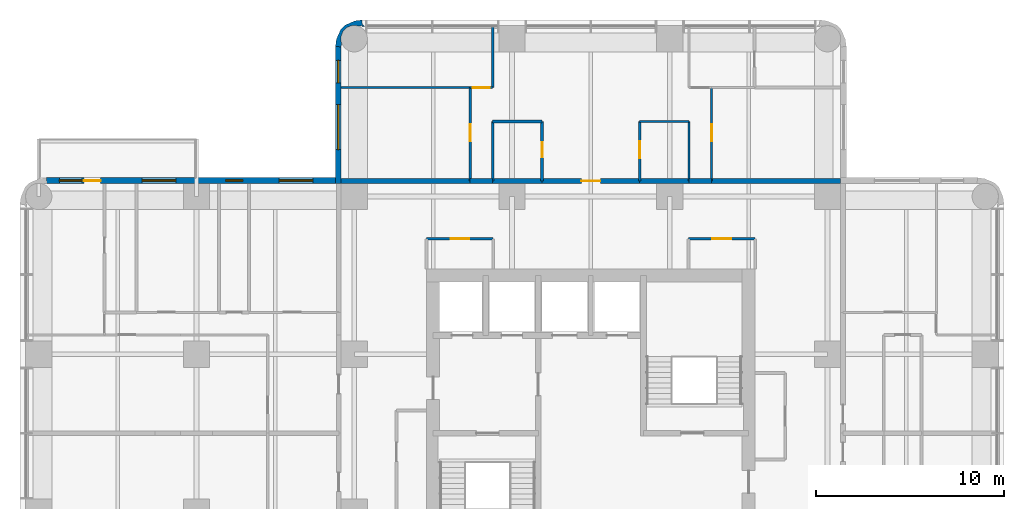
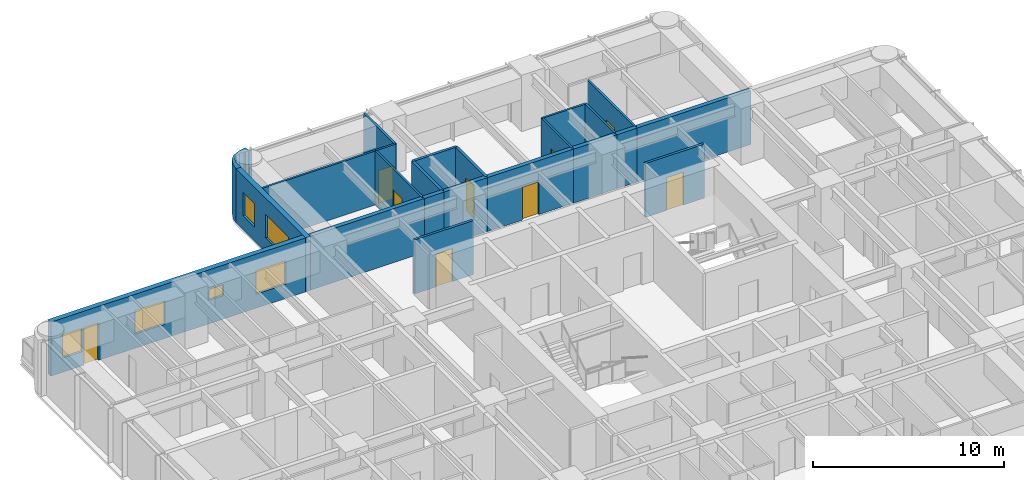
# One storey, part 9 of 11: 23 walls, 9 doors, 6 windows, 15 openings.
"""IFC4 building model written with IfcOpenShell, lengths in metres."""

import ifcopenshell
import ifcopenshell.guid

model = None  # the IFC model being written
_history = None  # IfcOwnerHistory: only IFC2X3 demands one
_inside = {}  # id of a spatial element -> (the spatial element, [elements in it])
_under = {}  # id of a project, library or spatial element -> (it, [spatial elements below it])
_declared = {}  # id of a project -> (the project, [libraries it declares])
_typed = {}  # id of a type object -> (the type object, [elements of that type])
_made_of = {}  # id of a material, layer set ... -> (it, [elements and type objects made of it])


def new_model(schema):
    """Start an empty IFC model of exactly this schema.

    Asked for "IFC4X3", IfcOpenShell would pick the latest addendum, in which some entities
    have other attributes; the version numbers below select the first issue.
    IFC2X3 requires an IfcOwnerHistory on every rooted entity: one is made here for all.
    """
    global model, _history
    if schema == "IFC4X3":
        model = ifcopenshell.file(schema_version=(4, 3, 0, 0))
    else:
        model = ifcopenshell.file(schema=schema)
    _inside.clear()
    _under.clear()
    _declared.clear()
    _typed.clear()
    _made_of.clear()
    _history = None
    if model.schema == "IFC2X3":
        org = make("IfcOrganization", Name="unknown")
        user = make(
            "IfcPersonAndOrganization",
            ThePerson=make("IfcPerson", FamilyName="unknown"),
            TheOrganization=org,
        )
        app = make(
            "IfcApplication",
            ApplicationDeveloper=org,
            Version="unknown",
            ApplicationFullName="unknown",
            ApplicationIdentifier="unknown",
        )
        _history = make(
            "IfcOwnerHistory",
            OwningUser=user,
            OwningApplication=app,
            ChangeAction="ADDED",
            CreationDate=0,
        )
    return model


def make(cls, **values):
    """One entity of the class cls with the attributes given. An attribute that is None is left unset."""
    return model.create_entity(
        cls, **{name: value for name, value in values.items() if value is not None}
    )


def rooted(cls, **values):
    """An entity with a GlobalId (a new one), such as an element, a storey or a relation."""
    return make(cls, GlobalId=ifcopenshell.guid.new(), OwnerHistory=_history, **values)


def si_unit(unit_type, name, prefix=None):
    """IfcSIUnit, for example si_unit("LENGTHUNIT", "METRE", prefix="MILLI")."""
    return make("IfcSIUnit", UnitType=unit_type, Prefix=prefix, Name=name)


def assignment(units):
    """IfcUnitAssignment: the units of a project."""
    return None if units is None else make("IfcUnitAssignment", Units=units)


def point(xyz):
    """IfcCartesianPoint."""
    return None if xyz is None else make("IfcCartesianPoint", Coordinates=xyz)


def direction(xyz):
    """IfcDirection."""
    return None if xyz is None else make("IfcDirection", DirectionRatios=xyz)


def frame(location, z_axis=None, x_axis=None):
    """IfcAxis2Placement3D, a coordinate frame: its origin and axes. An axis left out is left unset."""
    return make(
        "IfcAxis2Placement3D",
        Location=point(location),
        Axis=direction(z_axis),
        RefDirection=direction(x_axis),
    )


def frame_2d(location, x_axis=None):
    """IfcAxis2Placement2D, a coordinate frame in the plane: its origin and x axis."""
    return make(
        "IfcAxis2Placement2D", Location=point(location), RefDirection=direction(x_axis)
    )


def origin():
    """The frame at (0, 0, 0) with its axes left unset."""
    return frame((0.0, 0.0, 0.0))


def place(relative_to, where):
    """IfcLocalPlacement: puts the frame where relative to a parent placement (None: the world)."""
    return make(
        "IfcLocalPlacement", PlacementRelTo=relative_to, RelativePlacement=where
    )


def context(
    kind, dimensions, precision=None, world=None, true_north=None, identifier=None
):
    """IfcGeometricRepresentationContext, for example the 3D "Model" context."""
    return make(
        "IfcGeometricRepresentationContext",
        ContextIdentifier=identifier,
        ContextType=kind,
        CoordinateSpaceDimension=dimensions,
        Precision=precision,
        WorldCoordinateSystem=world,
        TrueNorth=true_north,
    )


def subcontext(parent, identifier, kind, view, scale=None):
    """IfcGeometricRepresentationSubContext, for example "Body" below "Model"."""
    return make(
        "IfcGeometricRepresentationSubContext",
        ContextIdentifier=identifier,
        ContextType=kind,
        ParentContext=parent,
        TargetScale=scale,
        TargetView=view,
    )


def project(units=None, contexts=None):
    """IfcProject with its units and contexts."""
    return rooted(
        "IfcProject",
        Name="project",
        RepresentationContexts=contexts,
        UnitsInContext=assignment(units),
    )


def spatial(cls, under=None, at=None, **own):
    """A site, building, storey or space (cls), placed at a placement, below another one or the project."""
    s = rooted(cls, ObjectPlacement=at, **own)
    if under is not None:
        _under.setdefault(under.id(), (under, []))[1].append(s)
    return s


def polyline(points):
    """IfcPolyline through the points."""
    return make("IfcPolyline", Points=[point(p) for p in points])


def profile(cls, at=None, kind="AREA", **sizes):
    """A parametric profile (cls). Its sizes go by their IFC names, for example OverallWidth=200.0."""
    return make(cls, ProfileType=kind, Position=at, **sizes)


def rectangle(**sizes):
    """IfcRectangleProfileDef."""
    return profile("IfcRectangleProfileDef", **sizes)


def outline(outer, holes=None, kind="AREA"):
    """IfcArbitraryClosedProfileDef: a profile drawn as a closed curve; with holes, ...WithVoids."""
    if holes is None:
        return make("IfcArbitraryClosedProfileDef", ProfileType=kind, OuterCurve=outer)
    return make(
        "IfcArbitraryProfileDefWithVoids",
        ProfileType=kind,
        OuterCurve=outer,
        InnerCurves=holes,
    )


def extrude(swept, where, along, depth):
    """IfcExtrudedAreaSolid: the profile swept, set in the frame where, extruded along a direction by depth."""
    return make(
        "IfcExtrudedAreaSolid",
        SweptArea=swept,
        Position=where,
        ExtrudedDirection=direction(along),
        Depth=depth,
    )


def shape(context_of_items, identifier, shape_type, items):
    """IfcShapeRepresentation: the items that make up one representation, for example the "Body"."""
    return make(
        "IfcShapeRepresentation",
        ContextOfItems=context_of_items,
        RepresentationIdentifier=identifier,
        RepresentationType=shape_type,
        Items=items,
    )


def material(Name=None, Category=None):
    """IfcMaterial."""
    return make("IfcMaterial", Name=Name, Category=Category)


def layer(
    of_material, thickness, ventilated=None, Name=None, Category=None, Priority=None
):
    """IfcMaterialLayer: one layer of a wall or slab, of a material (None: an air gap)."""
    return make(
        "IfcMaterialLayer",
        Material=of_material,
        LayerThickness=thickness,
        IsVentilated=ventilated,
        Name=Name,
        Category=Category,
        Priority=Priority,
    )


def layer_set(layers, Name=None):
    """IfcMaterialLayerSet."""
    return make("IfcMaterialLayerSet", MaterialLayers=layers, LayerSetName=Name)


def made_of(thing, what):
    """Note that an element or type object is made of a material, layer set ...; save() writes the relation."""
    if what is not None:
        _made_of.setdefault(what.id(), (what, []))[1].append(thing)
    return thing


def type_object(cls, material=None, **own):
    """A type object (cls), such as IfcWallType, which elements share."""
    return made_of(rooted(cls, **own), material)


def element(
    cls,
    number,
    at=None,
    inside=None,
    cuts=None,
    type_object=None,
    material=None,
    context=None,
    identifier="Body",
    shape_type=None,
    held_by="IfcProductDefinitionShape",
    body=None,
    shapes=None,
    **own,
):
    """One element of the class cls, such as IfcWall. Its Tag is "e" and its number.

    at: its placement. inside: the storey or other place that contains it. cuts: it is an
    opening in that element (IfcRelVoidsElement). A single representation is given by context,
    identifier, shape_type and body (its items); several are given by shapes. held_by: the class
    of the entity that holds the representations. save() writes the other relations.
    """
    e = rooted(cls, Tag="e%d" % number, ObjectPlacement=at, **own)
    if body is not None:
        shapes = [shape(context, identifier, shape_type, body)]
    if shapes is not None:
        e.Representation = make(held_by, Representations=shapes)
    if inside is not None:
        _inside.setdefault(inside.id(), (inside, []))[1].append(e)
    if cuts is not None:
        rooted(
            "IfcRelVoidsElement", RelatingBuildingElement=cuts, RelatedOpeningElement=e
        )
    if type_object is not None:
        _typed.setdefault(type_object.id(), (type_object, []))[1].append(e)
    return made_of(e, material)


def fill(opening, filler):
    """IfcRelFillsElement: the door or window that sits in an opening."""
    return rooted(
        "IfcRelFillsElement",
        RelatingOpeningElement=opening,
        RelatedBuildingElement=filler,
    )


def aggregate(whole, parts):
    """IfcRelAggregates: a whole, such as a stair, and the parts it consists of."""
    return rooted("IfcRelAggregates", RelatingObject=whole, RelatedObjects=parts)


def save(model, path):
    """Write the relations noted so far, then the file.

    IfcRelAggregates (storeys below a building ...), IfcRelContainedInSpatialStructure (elements
    in a storey), IfcRelDefinesByType, IfcRelAssociatesMaterial and IfcRelDeclares: one each for
    every whole, place, type object, material and project.
    """
    for whole, parts in _under.values():
        aggregate(whole, parts)
    for where, things in _inside.values():
        rooted(
            "IfcRelContainedInSpatialStructure",
            RelatedElements=things,
            RelatingStructure=where,
        )
    for kind, things in _typed.values():
        rooted("IfcRelDefinesByType", RelatedObjects=things, RelatingType=kind)
    for what, things in _made_of.values():
        rooted("IfcRelAssociatesMaterial", RelatedObjects=things, RelatingMaterial=what)
    for by, libraries in _declared.values():
        rooted("IfcRelDeclares", RelatingContext=by, RelatedDefinitions=libraries)
    model.write(path)


model = new_model("IFC4")

# Units and contexts
model_context = context("Model", 3, precision=1e-05, world=origin(), true_north=direction((0.0, 1.0)))
body_context = subcontext(model_context, "Body", "Model", "MODEL_VIEW")
ifc_project = project(units=[si_unit("LENGTHUNIT", "METRE"), si_unit("AREAUNIT", "SQUARE_METRE"), si_unit("VOLUMEUNIT", "CUBIC_METRE"), si_unit("PLANEANGLEUNIT", "RADIAN"), si_unit("MASSUNIT", "GRAM", prefix="KILO")], contexts=[model_context])

# Site, building, storey
site_placement = place(None, origin())
site = spatial("IfcSite", under=ifc_project, at=site_placement, CompositionType="ELEMENT")
building_placement = place(site_placement, origin())
building = spatial("IfcBuilding", under=site, at=building_placement, Name="Torre Alcanfor", CompositionType="ELEMENT")
storey_placement = place(building_placement, frame((0.0, 0.0, 190.5)))
storey = spatial("IfcBuildingStorey", under=building, at=storey_placement, Name="L49", CompositionType="ELEMENT", Elevation=190.5)

# Wall, opening, door
ifc_material_1 = material(Name="Concrete block masonry, hollow blocks NMX-C-404 9 MPa", Category="masonry")
ifc_layer_1 = layer(ifc_material_1, 0.25)
ifc_layer_set_1 = layer_set([ifc_layer_1], Name="Apartment entrance wall 250 EI 60")
wall_type_1 = type_object("IfcWallType", Name="Apartment entrance wall 250 EI 60", PredefinedType="PARTITIONING", material=ifc_layer_set_1)
wall_1_placement = place(storey_placement, frame((26.800048828125, 42.824951171875, 0.0), z_axis=(0.0, 0.0, 1.0), x_axis=(1.0, 0.0, 0.0)))
wall_1 = element("IfcWall", 1, at=wall_1_placement, inside=storey, type_object=wall_type_1, Name="Partition L49-CORR / L49-NX-ZAG", PredefinedType="PARTITIONING", context=body_context, shape_type="SweptSolid", body=[
    extrude(rectangle(XDim=5.199951171875, YDim=0.25, at=frame_2d((2.60009765625, 0.0))), origin(), (0.0, 0.0, 1.0), 3.449951171875),
])
opening_1_placement = place(wall_1_placement, frame((2.10009765625, 0.0, 0.0)))
opening_1 = element("IfcOpeningElement", 2, at=opening_1_placement, cuts=wall_1, Name="Opening D-A1", PredefinedType="OPENING", context=body_context, shape_type="SweptSolid", body=[
    extrude(rectangle(XDim=1.0, YDim=2.10009765625, at=frame_2d((0.5, 1.050048828125))), frame((0.0, 0.135009765625, 0.0), z_axis=(0.0, -1.0, 0.0), x_axis=(1.0, 0.0, 0.0)), (0.0, 0.0, 1.0), 0.27001953125),
])
ifc_material_2 = material(Name="Galvanised steel sheet ASTM A653", Category="steel")
door_type_1 = type_object("IfcDoorType", Name="Apartment entrance door FD60 1000x2100", OperationType="SINGLE_SWING_LEFT", PredefinedType="DOOR", material=ifc_material_2)
door_1_placement = place(opening_1_placement, origin())
door_1 = element("IfcDoor", 3, at=door_1_placement, inside=storey, type_object=door_type_1, Name="Apartment entrance L49-NX", OperationType="SINGLE_SWING_LEFT", OverallHeight=2.10009765625, OverallWidth=1.0, PredefinedType="DOOR", context=body_context, shape_type="SweptSolid", body=[
    extrude(rectangle(XDim=1.0, YDim=2.10009765625, at=frame_2d((0.5, 1.050048828125))), frame((0.0, 0.02490234375, 0.0), z_axis=(0.0, -1.0, 0.0), x_axis=(1.0, 0.0, 0.0)), (0.0, 0.0, 1.0), 0.050048828125),
])
fill(opening_1, door_1)

# Walls
wall_2_placement = place(storey_placement, frame((24.1708984375, 42.824951171875, 0.0), z_axis=(0.0, 0.0, 1.0), x_axis=(1.0, 0.0, 0.0)))
element("IfcWall", 4, at=wall_2_placement, inside=storey, type_object=wall_type_1, Name="Partition L49-CORR / L49-NX-BATH2", PredefinedType="PARTITIONING", context=body_context, shape_type="SweptSolid", body=[
    extrude(rectangle(XDim=2.629150390625, YDim=0.25, at=frame_2d((1.314453125, 0.0))), origin(), (0.0, 0.0, 1.0), 3.449951171875),
])
wall_3_placement = place(storey_placement, frame((32.0, 42.824951171875, 0.0), z_axis=(0.0, 0.0, 1.0), x_axis=(1.0, 0.0, 0.0)))
element("IfcWall", 5, at=wall_3_placement, inside=storey, type_object=wall_type_1, Name="Partition L49-CORR / L49-NX-KITCHEN", PredefinedType="PARTITIONING", context=body_context, shape_type="SweptSolid", body=[
    extrude(rectangle(XDim=2.62890625, YDim=0.25, at=frame_2d((1.314453125, 0.0))), origin(), (0.0, 0.0, 1.0), 3.449951171875),
])
wall_4_placement = place(storey_placement, frame((22.970947265625, 42.824951171875, 0.0), z_axis=(0.0, 0.0, 1.0), x_axis=(1.0, 0.0, 0.0)))
element("IfcWall", 6, at=wall_4_placement, inside=storey, type_object=wall_type_1, Name="Partition L49-CORR / L49-NX-LIVING", PredefinedType="PARTITIONING", context=body_context, shape_type="SweptSolid", body=[
    extrude(rectangle(XDim=1.199951171875, YDim=0.25, at=frame_2d((0.60009765625, 0.0))), origin(), (0.0, 0.0, 1.0), 3.449951171875),
])
wall_5_placement = place(storey_placement, frame((34.62890625, 42.824951171875, 0.0), z_axis=(0.0, 0.0, 1.0), x_axis=(1.0, 0.0, 0.0)))
element("IfcWall", 7, at=wall_5_placement, inside=storey, type_object=wall_type_1, Name="Partition L49-CORR / L49-NX-LIVING", PredefinedType="PARTITIONING", context=body_context, shape_type="SweptSolid", body=[
    extrude(rectangle(XDim=1.2001953125, YDim=0.25, at=frame_2d((0.60009765625, 0.0))), origin(), (0.0, 0.0, 1.0), 3.449951171875),
])
for number, where, z_axis, x_axis, name in (
    (8, (16.10009765625, 42.824951171875, 0.0), (0.0, 0.0, 1.0), (1.0, 0.0, 0.0), "Partition L49-CORR / L49-NX-BED2"),
    (9, (35.8291015625, 42.824951171875, 0.0), (0.0, 0.0, 1.0), (1.0, 0.0, 0.0), "Partition L49-CORR / L49-NX-BED3"),
):
    element("IfcWall", number, at=place(storey_placement, frame(where, z_axis=z_axis, x_axis=x_axis)), inside=storey, type_object=wall_type_1, Name=name, PredefinedType="PARTITIONING", context=body_context, shape_type="SweptSolid", body=[
        extrude(rectangle(XDim=6.870849609375, YDim=0.25, at=frame_2d((3.435546875, 0.0))), origin(), (0.0, 0.0, 1.0), 3.449951171875),
    ])

# Wall, opening, door
ifc_material_3 = material(Name="Gypsum board on steel studs", Category="steel")
ifc_layer_2 = layer(ifc_material_3, 0.1201171875)
ifc_layer_set_2 = layer_set([ifc_layer_2], Name="Apartment partition 120")
wall_type_2 = type_object("IfcWallType", Name="Apartment partition 120", PredefinedType="PARTITIONING", material=ifc_layer_set_2)
wall_6_placement = place(storey_placement, frame((32.0, 42.824951171875, 0.0), z_axis=(0.0, 0.0, 1.0), x_axis=(0.0, 1.0, 0.0)))
wall_6 = element("IfcWall", 10, at=wall_6_placement, inside=storey, type_object=wall_type_2, Name="Partition L49-NX-ZAG / L49-NX-KITCHEN", PredefinedType="PARTITIONING", context=body_context, shape_type="SweptSolid", body=[
    extrude(rectangle(XDim=3.175048828125, YDim=0.1201171875, at=frame_2d((1.58740234375, 0.0))), origin(), (0.0, 0.0, 1.0), 3.449951171875),
])
opening_2_placement = place(wall_6_placement, frame((1.22509765625, 0.0, 0.0)))
opening_2 = element("IfcOpeningElement", 11, at=opening_2_placement, cuts=wall_6, Name="Opening D-R1", PredefinedType="OPENING", context=body_context, shape_type="SweptSolid", body=[
    extrude(rectangle(XDim=0.89990234375, YDim=2.10009765625, at=frame_2d((0.449951171875, 1.050048828125))), frame((0.0, 0.070068359375, 0.0), z_axis=(0.0, -1.0, 0.0), x_axis=(1.0, 0.0, 0.0)), (0.0, 0.0, 1.0), 0.14013671875),
])
ifc_material_4 = material(Name="Timber", Category="wood")
door_type_2 = type_object("IfcDoorType", Name="Internal door 900x2100", OperationType="SINGLE_SWING_LEFT", PredefinedType="DOOR", material=ifc_material_4)
door_2_placement = place(opening_2_placement, frame((0.89990234375, 0.0, 0.0), z_axis=(0.0, 0.0, 1.0), x_axis=(-1.0, 0.0, 0.0)))
door_2 = element("IfcDoor", 12, at=door_2_placement, inside=storey, type_object=door_type_2, Name="Door L49-NX kitchen", OperationType="SINGLE_SWING_LEFT", OverallHeight=2.10009765625, OverallWidth=0.89990234375, PredefinedType="DOOR", context=body_context, shape_type="SweptSolid", body=[
    extrude(rectangle(XDim=0.89990234375, YDim=2.10009765625, at=frame_2d((0.449951171875, 1.050048828125))), frame((0.0, 0.025146484375, 0.0), z_axis=(0.0, -1.0, 0.0), x_axis=(1.0, 0.0, 0.0)), (0.0, 0.0, 1.0), 0.050048828125),
])
fill(opening_2, door_2)

# Walls
wall_7_placement = place(storey_placement, frame((34.62890625, 42.824951171875, 0.0), z_axis=(0.0, 0.0, 1.0), x_axis=(0.0, 1.0, 0.0)))
element("IfcWall", 13, at=wall_7_placement, inside=storey, type_object=wall_type_2, Name="Partition L49-NX-KITCHEN / L49-NX-LIVING", PredefinedType="PARTITIONING", context=body_context, shape_type="SweptSolid", body=[
    extrude(rectangle(XDim=3.175048828125, YDim=0.1201171875, at=frame_2d((1.58740234375, 0.0))), origin(), (0.0, 0.0, 1.0), 3.449951171875),
])
wall_8_placement = place(storey_placement, frame((34.62890625, 46.0, 0.0), z_axis=(0.0, 0.0, 1.0), x_axis=(-1.0, 0.0, 0.0)))
element("IfcWall", 14, at=wall_8_placement, inside=storey, type_object=wall_type_2, Name="Partition L49-NX-KITCHEN / L49-NX-LIVING", PredefinedType="PARTITIONING", context=body_context, shape_type="SweptSolid", body=[
    extrude(rectangle(XDim=2.62890625, YDim=0.1201171875, at=frame_2d((1.314453125, 0.0))), origin(), (0.0, 0.0, 1.0), 3.449951171875),
])

# Wall, opening, door
wall_9_placement = place(storey_placement, frame((22.970947265625, 42.824951171875, 0.0), z_axis=(0.0, 0.0, 1.0), x_axis=(0.0, 1.0, 0.0)))
wall_9 = element("IfcWall", 15, at=wall_9_placement, inside=storey, type_object=wall_type_2, Name="Partition L49-NX-LIVING / L49-NX-BED2", PredefinedType="PARTITIONING", context=body_context, shape_type="SweptSolid", body=[
    extrude(rectangle(XDim=4.97509765625, YDim=0.1201171875, at=frame_2d((2.487548828125, 0.0))), origin(), (0.0, 0.0, 1.0), 3.449951171875),
])
opening_3_placement = place(wall_9_placement, frame((2.125, 0.0, 0.0)))
opening_3 = element("IfcOpeningElement", 16, at=opening_3_placement, cuts=wall_9, Name="Opening D-R1", PredefinedType="OPENING", context=body_context, shape_type="SweptSolid", body=[
    extrude(rectangle(XDim=0.89990234375, YDim=2.10009765625, at=frame_2d((0.449951171875, 1.050048828125))), frame((0.0, 0.070068359375, 0.0), z_axis=(0.0, -1.0, 0.0), x_axis=(1.0, 0.0, 0.0)), (0.0, 0.0, 1.0), 0.14013671875),
])
door_3_placement = place(opening_3_placement, origin())
door_3 = element("IfcDoor", 17, at=door_3_placement, inside=storey, type_object=door_type_2, Name="Door L49-NX bed2", OperationType="SINGLE_SWING_RIGHT", OverallHeight=2.10009765625, OverallWidth=0.89990234375, PredefinedType="DOOR", context=body_context, shape_type="SweptSolid", body=[
    extrude(rectangle(XDim=0.89990234375, YDim=2.10009765625, at=frame_2d((0.449951171875, 1.050048828125))), frame((0.0, 0.02490234375, 0.0), z_axis=(0.0, -1.0, 0.0), x_axis=(1.0, 0.0, 0.0)), (0.0, 0.0, 1.0), 0.050048828125),
])
fill(opening_3, door_3)

wall_10_placement = place(storey_placement, frame((22.970947265625, 47.800048828125, 0.0), z_axis=(0.0, 0.0, 1.0), x_axis=(1.0, 0.0, 0.0)))
wall_10 = element("IfcWall", 18, at=wall_10_placement, inside=storey, type_object=wall_type_2, Name="Partition L49-NX-LIVING / L49-NX-MASTER", PredefinedType="PARTITIONING", context=body_context, shape_type="SweptSolid", body=[
    extrude(rectangle(XDim=1.199951171875, YDim=0.1201171875, at=frame_2d((0.60009765625, 0.0))), origin(), (0.0, 0.0, 1.0), 3.449951171875),
])
opening_4_placement = place(wall_10_placement, frame((0.14892578125, 0.0, 0.0)))
opening_4 = element("IfcOpeningElement", 19, at=opening_4_placement, cuts=wall_10, Name="Opening D-R1", PredefinedType="OPENING", context=body_context, shape_type="SweptSolid", body=[
    extrude(rectangle(XDim=0.89990234375, YDim=2.10009765625, at=frame_2d((0.449951171875, 1.050048828125))), frame((0.0, 0.070068359375, 0.0), z_axis=(0.0, -1.0, 0.0), x_axis=(1.0, 0.0, 0.0)), (0.0, 0.0, 1.0), 0.14013671875),
])
door_4_placement = place(opening_4_placement, origin())
door_4 = element("IfcDoor", 20, at=door_4_placement, inside=storey, type_object=door_type_2, Name="Door L49-NX master", OperationType="SINGLE_SWING_RIGHT", OverallHeight=2.10009765625, OverallWidth=0.89990234375, PredefinedType="DOOR", context=body_context, shape_type="SweptSolid", body=[
    extrude(rectangle(XDim=0.89990234375, YDim=2.10009765625, at=frame_2d((0.449951171875, 1.050048828125))), frame((0.0, 0.02490234375, 0.0), z_axis=(0.0, -1.0, 0.0), x_axis=(1.0, 0.0, 0.0)), (0.0, 0.0, 1.0), 0.050048828125),
])
fill(opening_4, door_4)

# Wall
wall_11_placement = place(storey_placement, frame((24.1708984375, 47.800048828125, 0.0), z_axis=(0.0, 0.0, 1.0), x_axis=(0.0, 1.0, 0.0)))
element("IfcWall", 21, at=wall_11_placement, inside=storey, type_object=wall_type_2, Name="Partition L49-NX-LIVING / L49-NX-MASTER", PredefinedType="PARTITIONING", context=body_context, shape_type="SweptSolid", body=[
    extrude(rectangle(XDim=3.25, YDim=0.1201171875, at=frame_2d((1.625, 0.0))), origin(), (0.0, 0.0, 1.0), 3.449951171875),
])

# Wall, opening, door
wall_12_placement = place(storey_placement, frame((35.8291015625, 47.800048828125, 0.0), z_axis=(0.0, 0.0, 1.0), x_axis=(0.0, -1.0, 0.0)))
wall_12 = element("IfcWall", 22, at=wall_12_placement, inside=storey, type_object=wall_type_2, Name="Partition L49-NX-LIVING / L49-NX-BED3", PredefinedType="PARTITIONING", context=body_context, shape_type="SweptSolid", body=[
    extrude(rectangle(XDim=4.97509765625, YDim=0.1201171875, at=frame_2d((2.487548828125, 0.0))), origin(), (0.0, 0.0, 1.0), 3.449951171875),
])
opening_5_placement = place(wall_12_placement, frame((1.949951171875, 0.0, 0.0)))
opening_5 = element("IfcOpeningElement", 23, at=opening_5_placement, cuts=wall_12, Name="Opening D-R1", PredefinedType="OPENING", context=body_context, shape_type="SweptSolid", body=[
    extrude(rectangle(XDim=0.89990234375, YDim=2.10009765625, at=frame_2d((0.449951171875, 1.050048828125))), frame((0.0, 0.070068359375, 0.0), z_axis=(0.0, -1.0, 0.0), x_axis=(1.0, 0.0, 0.0)), (0.0, 0.0, 1.0), 0.14013671875),
])
door_5_placement = place(opening_5_placement, origin())
door_5 = element("IfcDoor", 24, at=door_5_placement, inside=storey, type_object=door_type_2, Name="Door L49-NX bed3", OperationType="SINGLE_SWING_LEFT", OverallHeight=2.10009765625, OverallWidth=0.89990234375, PredefinedType="DOOR", context=body_context, shape_type="SweptSolid", body=[
    extrude(rectangle(XDim=0.89990234375, YDim=2.10009765625, at=frame_2d((0.449951171875, 1.050048828125))), frame((0.0, 0.02490234375, 0.0), z_axis=(0.0, -1.0, 0.0), x_axis=(1.0, 0.0, 0.0)), (0.0, 0.0, 1.0), 0.050048828125),
])
fill(opening_5, door_5)

# Wall
wall_13_placement = place(storey_placement, frame((22.970947265625, 47.800048828125, 0.0), z_axis=(0.0, 0.0, 1.0), x_axis=(-1.0, 0.0, 0.0)))
element("IfcWall", 25, at=wall_13_placement, inside=storey, type_object=wall_type_2, Name="Partition L49-NX-BED2 / L49-NX-MASTER", PredefinedType="PARTITIONING", context=body_context, shape_type="SweptSolid", body=[
    extrude(rectangle(XDim=6.870849609375, YDim=0.1201171875, at=frame_2d((3.435546875, 0.0))), origin(), (0.0, 0.0, 1.0), 3.449951171875),
])

# Wall, openings, door, windows
ifc_material_5 = material(Name="Limestone cladding", Category="masonry")
ifc_layer_3 = layer(ifc_material_5, 0.0400390625, Name="Facing")
ifc_material_6 = material(Name="Ventilated air cavity")
ifc_layer_4 = layer(ifc_material_6, 0.02001953125, ventilated=True, Name="Ventilated joint")
ifc_material_7 = material(Name="Mineral wool insulation", Category="insulation")
ifc_layer_5 = layer(ifc_material_7, 0.10009765625, Name="Insulation")
ifc_material_8 = material(Name="Concrete f'c 35 MPa", Category="concrete")
ifc_layer_6 = layer(ifc_material_8, 0.139892578125, Name="Backing")
ifc_layer_set_3 = layer_set([ifc_layer_3, ifc_layer_4, ifc_layer_5, ifc_layer_6], Name="External wall stone-clad 300")
wall_type_3 = type_object("IfcWallType", Name="External wall stone-clad 300", PredefinedType="SOLIDWALL", material=ifc_layer_set_3)
wall_14_placement = place(storey_placement, frame((15.800048828125, 42.85009765625, 0.0), z_axis=(0.0, 0.0, 1.0), x_axis=(-1.0, 0.0, 0.0)))
wall_14 = element("IfcWall", 26, at=wall_14_placement, inside=storey, type_object=wall_type_3, Name="External wall L49 1", PredefinedType="SOLIDWALL", context=body_context, shape_type="SweptSolid", body=[
    extrude(rectangle(XDim=15.400146484375, YDim=0.300048828125, at=frame_2d((7.7001953125, 0.0))), origin(), (0.0, 0.0, 1.0), 3.449951171875),
])
opening_6_placement = place(wall_14_placement, frame((1.199951171875, 0.0, 0.89990234375)))
opening_6 = element("IfcOpeningElement", 27, at=opening_6_placement, cuts=wall_14, Name="Opening W2", PredefinedType="OPENING", context=body_context, shape_type="SweptSolid", body=[
    extrude(rectangle(XDim=1.800048828125, YDim=1.5, at=frame_2d((0.89990234375, 0.75))), frame((0.0, 0.159912109375, 0.0), z_axis=(0.0, -1.0, 0.0), x_axis=(1.0, 0.0, 0.0)), (0.0, 0.0, 1.0), 0.320068359375),
])
opening_7_placement = place(wall_14_placement, frame((4.949951171875, 0.0, 1.5)))
opening_7 = element("IfcOpeningElement", 28, at=opening_7_placement, cuts=wall_14, Name="Opening W3", PredefinedType="OPENING", context=body_context, shape_type="SweptSolid", body=[
    extrude(rectangle(XDim=0.89990234375, YDim=0.699951171875, at=frame_2d((0.449951171875, 0.35009765625))), frame((0.0, 0.159912109375, 0.0), z_axis=(0.0, -1.0, 0.0), x_axis=(1.0, 0.0, 0.0)), (0.0, 0.0, 1.0), 0.320068359375),
])
opening_8_placement = place(wall_14_placement, frame((8.5, 0.0, 0.89990234375)))
opening_8 = element("IfcOpeningElement", 29, at=opening_8_placement, cuts=wall_14, Name="Opening W2", PredefinedType="OPENING", context=body_context, shape_type="SweptSolid", body=[
    extrude(rectangle(XDim=1.800048828125, YDim=1.5, at=frame_2d((0.89990234375, 0.75))), frame((0.0, 0.159912109375, 0.0), z_axis=(0.0, -1.0, 0.0), x_axis=(1.0, 0.0, 0.0)), (0.0, 0.0, 1.0), 0.320068359375),
])
opening_9_placement = place(wall_14_placement, frame((12.5, 0.0, 0.0)))
opening_9 = element("IfcOpeningElement", 30, at=opening_9_placement, cuts=wall_14, Name="Opening D-B1", PredefinedType="OPENING", context=body_context, shape_type="SweptSolid", body=[
    extrude(rectangle(XDim=0.89990234375, YDim=2.39990234375, at=frame_2d((0.449951171875, 1.199951171875))), frame((0.0, 0.159912109375, 0.0), z_axis=(0.0, -1.0, 0.0), x_axis=(1.0, 0.0, 0.0)), (0.0, 0.0, 1.0), 0.320068359375),
])
opening_10_placement = place(wall_14_placement, frame((13.5, 0.0, 0.89990234375)))
opening_10 = element("IfcOpeningElement", 31, at=opening_10_placement, cuts=wall_14, Name="Opening W4", PredefinedType="OPENING", context=body_context, shape_type="SweptSolid", body=[
    extrude(rectangle(XDim=1.199951171875, YDim=1.5, at=frame_2d((0.60009765625, 0.75))), frame((0.0, 0.159912109375, 0.0), z_axis=(0.0, -1.0, 0.0), x_axis=(1.0, 0.0, 0.0)), (0.0, 0.0, 1.0), 0.320068359375),
])
ifc_material_9 = material(Name="Aluminium and glass", Category="aluminium")
door_type_3 = type_object("IfcDoorType", Name="Balcony door glazed 900x2400", OperationType="SINGLE_SWING_LEFT", PredefinedType="DOOR", material=ifc_material_9)
door_6_placement = place(opening_9_placement, origin())
door_6 = element("IfcDoor", 32, at=door_6_placement, inside=storey, type_object=door_type_3, Name="Balcony door L49-W2", OperationType="SINGLE_SWING_LEFT", OverallHeight=2.39990234375, OverallWidth=0.89990234375, PredefinedType="DOOR", context=body_context, shape_type="SweptSolid", body=[
    extrude(rectangle(XDim=0.89990234375, YDim=2.39990234375, at=frame_2d((0.449951171875, 1.199951171875))), frame((0.0, 0.02490234375, 0.0), z_axis=(0.0, -1.0, 0.0), x_axis=(1.0, 0.0, 0.0)), (0.0, 0.0, 1.0), 0.050048828125),
])
fill(opening_9, door_6)
ifc_material_10 = material(Name="Aluminium frame with clear double glazing", Category="aluminium")
window_type_1 = type_object("IfcWindowType", Name="Window bathroom 900x700", PartitioningType="SINGLE_PANEL", PredefinedType="WINDOW", material=ifc_material_10)
window_1_placement = place(opening_7_placement, origin())
window_1 = element("IfcWindow", 33, at=window_1_placement, inside=storey, type_object=window_type_1, Name="Window W3 L49-W2", OverallHeight=0.699951171875, OverallWidth=0.89990234375, PartitioningType="SINGLE_PANEL", PredefinedType="WINDOW", context=body_context, shape_type="SweptSolid", body=[
    extrude(rectangle(XDim=0.89990234375, YDim=0.699951171875, at=frame_2d((0.449951171875, 0.35009765625))), frame((0.0, 0.030029296875, 0.0), z_axis=(0.0, -1.0, 0.0), x_axis=(1.0, 0.0, 0.0)), (0.0, 0.0, 1.0), 0.06005859375),
])
fill(opening_7, window_1)
ifc_material_11 = material(Name="Aluminium frame with clear double glazing", Category="aluminium")
window_type_2 = type_object("IfcWindowType", Name="Window bedroom 1200x1500", PartitioningType="SINGLE_PANEL", PredefinedType="WINDOW", material=ifc_material_11)
window_2_placement = place(opening_10_placement, origin())
window_2 = element("IfcWindow", 34, at=window_2_placement, inside=storey, type_object=window_type_2, Name="Window W4 L49-W2", OverallHeight=1.5, OverallWidth=1.199951171875, PartitioningType="SINGLE_PANEL", PredefinedType="WINDOW", context=body_context, shape_type="SweptSolid", body=[
    extrude(rectangle(XDim=1.199951171875, YDim=1.5, at=frame_2d((0.60009765625, 0.75))), frame((0.0, 0.030029296875, 0.0), z_axis=(0.0, -1.0, 0.0), x_axis=(1.0, 0.0, 0.0)), (0.0, 0.0, 1.0), 0.06005859375),
])
fill(opening_10, window_2)
ifc_material_12 = material(Name="Aluminium frame with clear double glazing", Category="aluminium")
window_type_3 = type_object("IfcWindowType", Name="Window bedroom 1800x1500", PartitioningType="SINGLE_PANEL", PredefinedType="WINDOW", material=ifc_material_12)
window_3_placement = place(opening_6_placement, origin())
window_3 = element("IfcWindow", 35, at=window_3_placement, inside=storey, type_object=window_type_3, Name="Window W2 L49-W2", OverallHeight=1.5, OverallWidth=1.800048828125, PartitioningType="SINGLE_PANEL", PredefinedType="WINDOW", context=body_context, shape_type="SweptSolid", body=[
    extrude(rectangle(XDim=1.800048828125, YDim=1.5, at=frame_2d((0.89990234375, 0.75))), frame((0.0, 0.030029296875, 0.0), z_axis=(0.0, -1.0, 0.0), x_axis=(1.0, 0.0, 0.0)), (0.0, 0.0, 1.0), 0.06005859375),
])
fill(opening_6, window_3)
window_4_placement = place(opening_8_placement, origin())
window_4 = element("IfcWindow", 36, at=window_4_placement, inside=storey, type_object=window_type_3, Name="Window W2 L49-W2", OverallHeight=1.5, OverallWidth=1.800048828125, PartitioningType="SINGLE_PANEL", PredefinedType="WINDOW", context=body_context, shape_type="SweptSolid", body=[
    extrude(rectangle(XDim=1.800048828125, YDim=1.5, at=frame_2d((0.89990234375, 0.75))), frame((0.0, 0.030029296875, 0.0), z_axis=(0.0, -1.0, 0.0), x_axis=(1.0, 0.0, 0.0)), (0.0, 0.0, 1.0), 0.06005859375),
])
fill(opening_8, window_4)

# Wall, openings, windows
wall_15_placement = place(storey_placement, frame((15.949951171875, 50.0, 0.0), z_axis=(0.0, 0.0, 1.0), x_axis=(0.0, -1.0, 0.0)))
wall_15 = element("IfcWall", 37, at=wall_15_placement, inside=storey, type_object=wall_type_3, Name="External wall L49 12", PredefinedType="SOLIDWALL", context=body_context, shape_type="SweptSolid", body=[
    extrude(rectangle(XDim=7.300048828125, YDim=0.300048828125, at=frame_2d((3.64990234375, 0.0))), origin(), (0.0, 0.0, 1.0), 3.449951171875),
])
opening_11_placement = place(wall_15_placement, frame((3.10009765625, 0.0, 0.89990234375)))
opening_11 = element("IfcOpeningElement", 38, at=opening_11_placement, cuts=wall_15, Name="Opening W1", PredefinedType="OPENING", context=body_context, shape_type="SweptSolid", body=[
    extrude(rectangle(XDim=2.39990234375, YDim=1.5, at=frame_2d((1.199951171875, 0.75))), frame((0.0, 0.159912109375, 0.0), z_axis=(0.0, -1.0, 0.0), x_axis=(1.0, 0.0, 0.0)), (0.0, 0.0, 1.0), 0.320068359375),
])
opening_12_placement = place(wall_15_placement, frame((0.75, 0.0, 0.89990234375)))
opening_12 = element("IfcOpeningElement", 39, at=opening_12_placement, cuts=wall_15, Name="Opening W4", PredefinedType="OPENING", context=body_context, shape_type="SweptSolid", body=[
    extrude(rectangle(XDim=1.199951171875, YDim=1.5, at=frame_2d((0.60009765625, 0.75))), frame((0.0, 0.159912109375, 0.0), z_axis=(0.0, -1.0, 0.0), x_axis=(1.0, 0.0, 0.0)), (0.0, 0.0, 1.0), 0.320068359375),
])
window_5_placement = place(opening_12_placement, origin())
window_5 = element("IfcWindow", 40, at=window_5_placement, inside=storey, type_object=window_type_2, Name="Window W4 L49-N1", OverallHeight=1.5, OverallWidth=1.199951171875, PartitioningType="SINGLE_PANEL", PredefinedType="WINDOW", context=body_context, shape_type="SweptSolid", body=[
    extrude(rectangle(XDim=1.199951171875, YDim=1.5, at=frame_2d((0.60009765625, 0.75))), frame((0.0, 0.030029296875, 0.0), z_axis=(0.0, -1.0, 0.0), x_axis=(1.0, 0.0, 0.0)), (0.0, 0.0, 1.0), 0.06005859375),
])
fill(opening_12, window_5)
ifc_material_13 = material(Name="Aluminium frame with clear double glazing", Category="aluminium")
window_type_4 = type_object("IfcWindowType", Name="Window bedroom 2400x1500", PartitioningType="SINGLE_PANEL", PredefinedType="WINDOW", material=ifc_material_13)
window_6_placement = place(opening_11_placement, origin())
window_6 = element("IfcWindow", 41, at=window_6_placement, inside=storey, type_object=window_type_4, Name="Window W1 L49-N1", OverallHeight=1.5, OverallWidth=2.39990234375, PartitioningType="SINGLE_PANEL", PredefinedType="WINDOW", context=body_context, shape_type="SweptSolid", body=[
    extrude(rectangle(XDim=2.39990234375, YDim=1.5, at=frame_2d((1.199951171875, 0.75))), frame((0.0, 0.030029296875, 0.0), z_axis=(0.0, -1.0, 0.0), x_axis=(1.0, 0.0, 0.0)), (0.0, 0.0, 1.0), 0.06005859375),
])
fill(opening_11, window_6)

# Wall, opening, door
ifc_material_14 = material(Name="Concrete block masonry, hollow blocks NMX-C-404 9 MPa", Category="masonry")
ifc_layer_7 = layer(ifc_material_14, 0.14990234375)
ifc_layer_set_4 = layer_set([ifc_layer_7], Name="Residents' room partition 150")
wall_type_4 = type_object("IfcWallType", Name="Residents' room partition 150", PredefinedType="PARTITIONING", material=ifc_layer_set_4)
wall_16_placement = place(storey_placement, frame((24.199951171875, 39.75, 0.0), z_axis=(0.0, 0.0, 1.0), x_axis=(-1.0, 0.0, 0.0)))
wall_16 = element("IfcWall", 42, at=wall_16_placement, inside=storey, type_object=wall_type_4, Name="Partition L49-CORR / L49-G01", PredefinedType="PARTITIONING", context=body_context, shape_type="SweptSolid", body=[
    extrude(rectangle(XDim=3.550048828125, YDim=0.14990234375, at=frame_2d((1.77490234375, 0.0))), origin(), (0.0, 0.0, 1.0), 3.449951171875),
])
opening_13_placement = place(wall_16_placement, frame((1.27490234375, 0.0, 0.0)))
opening_13 = element("IfcOpeningElement", 43, at=opening_13_placement, cuts=wall_16, Name="Opening D-M1", PredefinedType="OPENING", context=body_context, shape_type="SweptSolid", body=[
    extrude(rectangle(XDim=1.0, YDim=2.10009765625, at=frame_2d((0.5, 1.050048828125))), frame((0.0, 0.0849609375, 0.0), z_axis=(0.0, -1.0, 0.0), x_axis=(1.0, 0.0, 0.0)), (0.0, 0.0, 1.0), 0.169921875),
])
ifc_material_15 = material(Name="Timber", Category="wood")
door_type_4 = type_object("IfcDoorType", Name="Residents' room door 1000x2100", OperationType="SINGLE_SWING_LEFT", PredefinedType="DOOR", material=ifc_material_15)
door_7_placement = place(opening_13_placement, origin())
door_7 = element("IfcDoor", 44, at=door_7_placement, inside=storey, type_object=door_type_4, Name="Door L49-G01 residents' storage", OperationType="SINGLE_SWING_LEFT", OverallHeight=2.10009765625, OverallWidth=1.0, PredefinedType="DOOR", context=body_context, shape_type="SweptSolid", body=[
    extrude(rectangle(XDim=1.0, YDim=2.10009765625, at=frame_2d((0.5, 1.050048828125))), frame((0.0, 0.02490234375, 0.0), z_axis=(0.0, -1.0, 0.0), x_axis=(1.0, 0.0, 0.0)), (0.0, 0.0, 1.0), 0.050048828125),
])
fill(opening_13, door_7)

wall_17_placement = place(storey_placement, frame((38.14990234375, 39.75, 0.0), z_axis=(0.0, 0.0, 1.0), x_axis=(-1.0, 0.0, 0.0)))
wall_17 = element("IfcWall", 45, at=wall_17_placement, inside=storey, type_object=wall_type_4, Name="Partition L49-CORR / L49-G02", PredefinedType="PARTITIONING", context=body_context, shape_type="SweptSolid", body=[
    extrude(rectangle(XDim=3.5498046875, YDim=0.14990234375, at=frame_2d((1.77490234375, 0.0))), origin(), (0.0, 0.0, 1.0), 3.449951171875),
])
opening_14_placement = place(wall_17_placement, frame((1.27490234375, 0.0, 0.0)))
opening_14 = element("IfcOpeningElement", 46, at=opening_14_placement, cuts=wall_17, Name="Opening D-M1", PredefinedType="OPENING", context=body_context, shape_type="SweptSolid", body=[
    extrude(rectangle(XDim=1.0, YDim=2.10009765625, at=frame_2d((0.5, 1.050048828125))), frame((0.0, 0.0849609375, 0.0), z_axis=(0.0, -1.0, 0.0), x_axis=(1.0, 0.0, 0.0)), (0.0, 0.0, 1.0), 0.169921875),
])
door_8_placement = place(opening_14_placement, origin())
door_8 = element("IfcDoor", 47, at=door_8_placement, inside=storey, type_object=door_type_4, Name="Door L49-G02 parcel room", OperationType="SINGLE_SWING_LEFT", OverallHeight=2.10009765625, OverallWidth=1.0, PredefinedType="DOOR", context=body_context, shape_type="SweptSolid", body=[
    extrude(rectangle(XDim=1.0, YDim=2.10009765625, at=frame_2d((0.5, 1.050048828125))), frame((0.0, 0.02490234375, 0.0), z_axis=(0.0, -1.0, 0.0), x_axis=(1.0, 0.0, 0.0)), (0.0, 0.0, 1.0), 0.050048828125),
])
fill(opening_14, door_8)

# Wall
ifc_layer_8 = layer(ifc_material_5, 0.0400390625, Name="Facing")
ifc_layer_9 = layer(ifc_material_6, 0.02001953125, ventilated=True, Name="Ventilated joint")
ifc_layer_10 = layer(ifc_material_7, 0.10009765625, Name="Insulation")
ifc_layer_11 = layer(ifc_material_8, 0.139892578125, Name="Backing")
ifc_layer_set_5 = layer_set([ifc_layer_8, ifc_layer_9, ifc_layer_10, ifc_layer_11], Name="Rounded corner pier stone-clad 300")
wall_type_5 = type_object("IfcWallType", Name="Rounded corner pier stone-clad 300", PredefinedType="SOLIDWALL", material=ifc_layer_set_5)
wall_18_placement = place(storey_placement, frame((17.312325495, 50.98815184, 0.0), z_axis=(0.0, 0.0, 1.0), x_axis=(-0.439933741929, 0.898030234854, 0.0)))
element("IfcWall", 48, at=wall_18_placement, inside=storey, type_object=wall_type_5, Name="Corner pier L49 20", PredefinedType="SOLIDWALL", context=body_context, shape_type="SweptSolid", body=[
    extrude(outline(polyline([(0.1377143835604198, -0.039385181817258766), (0.1818364553516057, -0.0003747232930663008), (0.4192016580531099, -0.08022740006820503), (0.5358388106960636, 0.26607727478531357), (0.5587531272282371, 0.6308374918089354), (0.5545485345760868, 0.6511120475500328), (0.5663705271242188, 0.8356242584424797), (0.45553712270786306, 1.1593357577081085), (0.33310540567156155, 1.2978817433582523), (0.3240010425966217, 1.316478699637952), (0.08232775629815992, 1.5906485457460864), (-0.22208869605726766, 1.7927915068834772), (-0.3896080971502234, 1.5407383104861123), (-0.3718491984629172, 1.532038448890355), (-0.1945577897528935, 1.41446516530517), (-0.1197255547664915, 1.4096136894189937), (0.13065299215824444, 1.286956381488686), (0.3152401217440383, 1.07772560900137), (0.4057142184300525, 0.8140105545565798), (0.3881041552353981, 0.5355508442955765), (0.26544684730509027, 0.28517229737084054), (0.20907264065944553, 0.23558040158200633), (0.14755628183616776, 0.052848260637269044), (0.10502262325175554, 0.07368496618760154), (0.031879342428165675, -0.0756213301834538), (0.1377143835604198, -0.039385181817258766)])), origin(), (0.0, 0.0, 1.0), 3.449951171875),
])

# Wall, opening, door
ifc_material_16 = material(Name="Cement board on steel studs", Category="steel")
ifc_layer_12 = layer(ifc_material_16, 0.14990234375)
ifc_layer_set_6 = layer_set([ifc_layer_12], Name="Wet area partition 150")
wall_type_6 = type_object("IfcWallType", Name="Wet area partition 150", PredefinedType="PARTITIONING", material=ifc_layer_set_6)
wall_19_placement = place(storey_placement, frame((26.800048828125, 46.0, 0.0), z_axis=(0.0, 0.0, 1.0), x_axis=(0.0, -1.0, 0.0)))
wall_19 = element("IfcWall", 49, at=wall_19_placement, inside=storey, type_object=wall_type_6, Name="Partition L49-NX-ZAG / L49-NX-BATH2", PredefinedType="PARTITIONING", context=body_context, shape_type="SweptSolid", body=[
    extrude(rectangle(XDim=3.175048828125, YDim=0.14990234375, at=frame_2d((1.58740234375, 0.0))), origin(), (0.0, 0.0, 1.0), 3.449951171875),
])
opening_15_placement = place(wall_19_placement, frame((1.10009765625, 0.0, 0.0)))
opening_15 = element("IfcOpeningElement", 50, at=opening_15_placement, cuts=wall_19, Name="Opening D-R2", PredefinedType="OPENING", context=body_context, shape_type="SweptSolid", body=[
    extrude(rectangle(XDim=0.800048828125, YDim=2.10009765625, at=frame_2d((0.39990234375, 1.050048828125))), frame((0.0, 0.0849609375, 0.0), z_axis=(0.0, -1.0, 0.0), x_axis=(1.0, 0.0, 0.0)), (0.0, 0.0, 1.0), 0.169921875),
])
ifc_material_17 = material(Name="Timber", Category="wood")
door_type_5 = type_object("IfcDoorType", Name="Bathroom door 800x2100", OperationType="SINGLE_SWING_LEFT", PredefinedType="DOOR", material=ifc_material_17)
door_9_placement = place(opening_15_placement, frame((0.800048828125, 0.0, 0.0), z_axis=(0.0, 0.0, 1.0), x_axis=(-1.0, 0.0, 0.0)))
door_9 = element("IfcDoor", 51, at=door_9_placement, inside=storey, type_object=door_type_5, Name="Door L49-NX bath2", OperationType="SINGLE_SWING_RIGHT", OverallHeight=2.10009765625, OverallWidth=0.800048828125, PredefinedType="DOOR", context=body_context, shape_type="SweptSolid", body=[
    extrude(rectangle(XDim=0.800048828125, YDim=2.10009765625, at=frame_2d((0.400146484375, 1.050048828125))), frame((0.0, 0.025146484375, 0.0), z_axis=(0.0, -1.0, 0.0), x_axis=(1.0, 0.0, 0.0)), (0.0, 0.0, 1.0), 0.050048828125),
])
fill(opening_15, door_9)

# Walls
wall_20_placement = place(storey_placement, frame((26.800048828125, 46.0, 0.0), z_axis=(0.0, 0.0, 1.0), x_axis=(-1.0, 0.0, 0.0)))
element("IfcWall", 52, at=wall_20_placement, inside=storey, type_object=wall_type_6, Name="Partition L49-NX-BATH2 / L49-NX-LIVING", PredefinedType="PARTITIONING", context=body_context, shape_type="SweptSolid", body=[
    extrude(rectangle(XDim=2.629150390625, YDim=0.14990234375, at=frame_2d((1.314453125, 0.0))), origin(), (0.0, 0.0, 1.0), 3.449951171875),
])
wall_21_placement = place(storey_placement, frame((24.1708984375, 46.0, 0.0), z_axis=(0.0, 0.0, 1.0), x_axis=(0.0, -1.0, 0.0)))
element("IfcWall", 53, at=wall_21_placement, inside=storey, type_object=wall_type_6, Name="Partition L49-NX-BATH2 / L49-NX-LIVING", PredefinedType="PARTITIONING", context=body_context, shape_type="SweptSolid", body=[
    extrude(rectangle(XDim=3.175048828125, YDim=0.14990234375, at=frame_2d((1.58740234375, 0.0))), origin(), (0.0, 0.0, 1.0), 3.449951171875),
])

save(model, "model.ifc")
